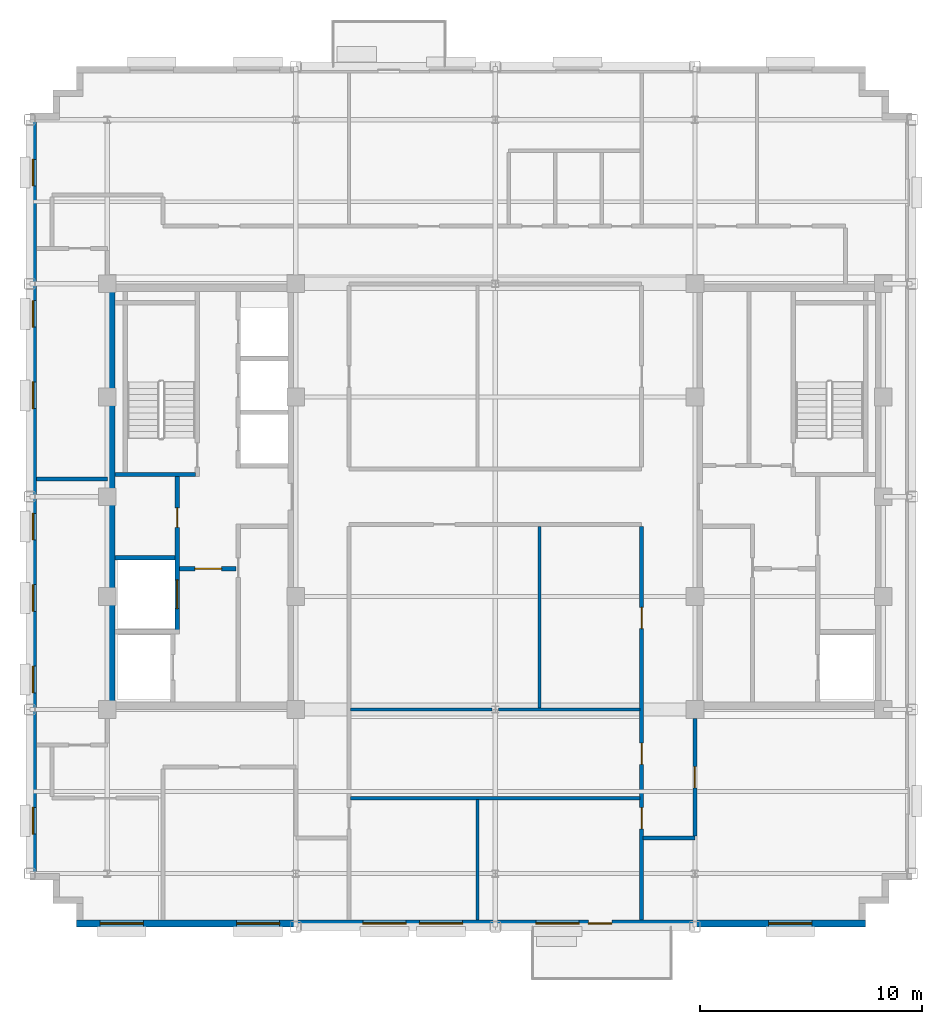
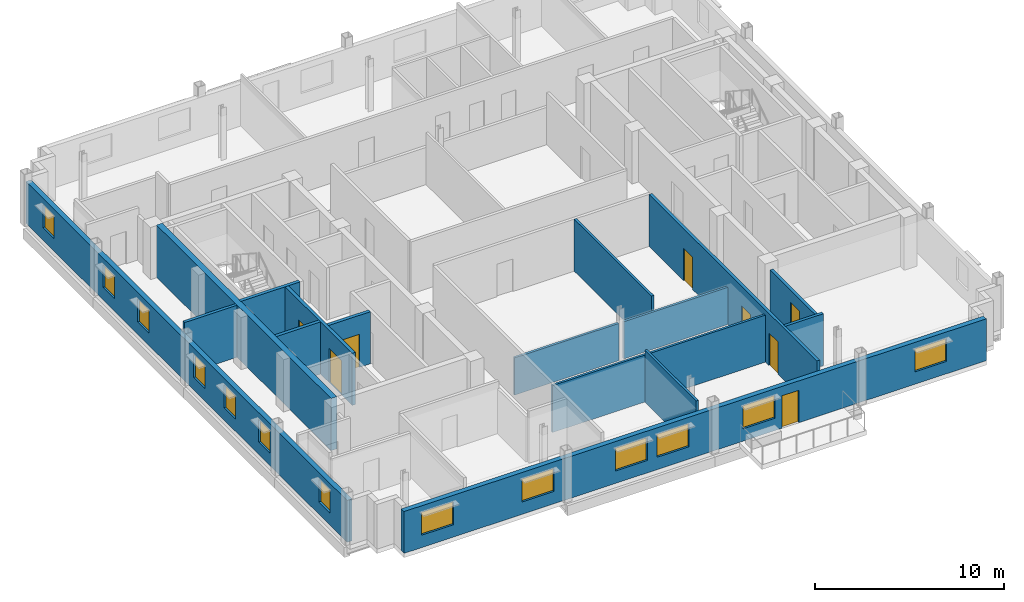
# One storey, part 6 of 13: 16 walls, 13 windows, 8 doors, 21 openings.
"""IFC4 building model written with IfcOpenShell, lengths in metres."""

from ifc_helpers import new_model, si_unit, direction, frame, frame_2d, origin, place, context, subcontext, project, spatial, rectangle, extrude, source, transform, mapped, material, layer, layer_set, type_object, type_shapes, element, fill, save


model = new_model("IFC4")

# Units and contexts
model_context = context("Model", 3, precision=1e-05, world=origin(), true_north=direction((0.0, 1.0)))
body_context = subcontext(model_context, "Body", "Model", "MODEL_VIEW")
ifc_project = project(units=[si_unit("LENGTHUNIT", "METRE"), si_unit("AREAUNIT", "SQUARE_METRE"), si_unit("VOLUMEUNIT", "CUBIC_METRE"), si_unit("PLANEANGLEUNIT", "RADIAN"), si_unit("MASSUNIT", "GRAM", prefix="KILO")], contexts=[model_context])

# Site, building, storey
site_placement = place(None, origin())
site = spatial("IfcSite", under=ifc_project, at=site_placement, CompositionType="ELEMENT")
building_placement = place(site_placement, origin())
building = spatial("IfcBuilding", under=site, at=building_placement, Name="Nuvemarco Arch Tower", CompositionType="ELEMENT")
storey_placement = place(building_placement, frame((0.0, 0.0, 279.85009765625)))
storey = spatial("IfcBuildingStorey", under=building, at=storey_placement, Name="L74", CompositionType="ELEMENT", Elevation=279.85009765625)

# Wall, openings, door, windows
ifc_material_1 = material(Name="Precast concrete C45/55", Category="concrete")
ifc_layer_1 = layer(ifc_material_1, 0.300048828125, Name="EW-HIGH-300")
ifc_layer_set_1 = layer_set([ifc_layer_1], Name="Precast concrete C45/55")
wall_type_1 = type_object("IfcWallType", Name="EW-HIGH-300", PredefinedType="STANDARD", material=ifc_layer_set_1)
wall_1_placement = place(storey_placement, frame((-18.89990234375, -19.25, 0.0), z_axis=(0.0, 0.0, 1.0), x_axis=(1.0, 0.0, 0.0)))
wall_1 = element("IfcWall", 1, at=wall_1_placement, inside=storey, type_object=wall_type_1, Name="L74 exterior precast facade wall 1", PredefinedType="STANDARD", context=body_context, shape_type="SweptSolid", body=[
    extrude(rectangle(XDim=35.599853515625, YDim=0.300048828125, at=frame_2d((17.7998046875, 0.0))), origin(), (0.0, 0.0, 1.0), 2.704833984375),
])
opening_1_placement = place(wall_1_placement, frame((24.150146484375, 0.0, 0.0), z_axis=(0.0, 0.0, 1.0), x_axis=(-1.0, 0.0, 0.0)))
opening_1 = element("IfcOpeningElement", 2, at=opening_1_placement, cuts=wall_1, Name="Opening ED-5", PredefinedType="OPENING", context=body_context, shape_type="SweptSolid", body=[
    extrude(rectangle(XDim=1.050048828125, YDim=2.10009765625, at=frame_2d((0.52490234375, 1.050048828125))), frame((0.0, 0.159912109375, 0.0), z_axis=(0.0, -1.0, 0.0), x_axis=(1.0, 0.0, 0.0)), (0.0, 0.0, 1.0), 0.320068359375),
])
opening_2_placement = place(wall_1_placement, frame((1.074951171875, 0.0, 0.800048828125)))
opening_2 = element("IfcOpeningElement", 3, at=opening_2_placement, cuts=wall_1, Name="Opening WN-7", PredefinedType="OPENING", context=body_context, shape_type="SweptSolid", body=[
    extrude(rectangle(XDim=1.949951171875, YDim=1.47998046875, at=frame_2d((0.97509765625, 0.739990234375))), frame((0.0, 0.159912109375, 0.0), z_axis=(0.0, -1.0, 0.0), x_axis=(1.0, 0.0, 0.0)), (0.0, 0.0, 1.0), 0.320068359375),
])
opening_3_placement = place(wall_1_placement, frame((7.22509765625, 0.0, 0.800048828125)))
opening_3 = element("IfcOpeningElement", 4, at=opening_3_placement, cuts=wall_1, Name="Opening WN-7", PredefinedType="OPENING", context=body_context, shape_type="SweptSolid", body=[
    extrude(rectangle(XDim=1.949951171875, YDim=1.47998046875, at=frame_2d((0.97509765625, 0.739990234375))), frame((0.0, 0.159912109375, 0.0), z_axis=(0.0, -1.0, 0.0), x_axis=(1.0, 0.0, 0.0)), (0.0, 0.0, 1.0), 0.320068359375),
])
opening_4_placement = place(wall_1_placement, frame((12.925048828125, 0.0, 0.800048828125)))
opening_4 = element("IfcOpeningElement", 5, at=opening_4_placement, cuts=wall_1, Name="Opening WN-7", PredefinedType="OPENING", context=body_context, shape_type="SweptSolid", body=[
    extrude(rectangle(XDim=1.949951171875, YDim=1.47998046875, at=frame_2d((0.97509765625, 0.739990234375))), frame((0.0, 0.159912109375, 0.0), z_axis=(0.0, -1.0, 0.0), x_axis=(1.0, 0.0, 0.0)), (0.0, 0.0, 1.0), 0.320068359375),
])
opening_5_placement = place(wall_1_placement, frame((15.47509765625, 0.0, 0.800048828125)))
opening_5 = element("IfcOpeningElement", 6, at=opening_5_placement, cuts=wall_1, Name="Opening WN-7", PredefinedType="OPENING", context=body_context, shape_type="SweptSolid", body=[
    extrude(rectangle(XDim=1.949951171875, YDim=1.47998046875, at=frame_2d((0.97509765625, 0.739990234375))), frame((0.0, 0.159912109375, 0.0), z_axis=(0.0, -1.0, 0.0), x_axis=(1.0, 0.0, 0.0)), (0.0, 0.0, 1.0), 0.320068359375),
])
opening_6_placement = place(wall_1_placement, frame((20.72509765625, 0.0, 0.800048828125)))
opening_6 = element("IfcOpeningElement", 7, at=opening_6_placement, cuts=wall_1, Name="Opening WN-7", PredefinedType="OPENING", context=body_context, shape_type="SweptSolid", body=[
    extrude(rectangle(XDim=1.949951171875, YDim=1.47998046875, at=frame_2d((0.97509765625, 0.739990234375))), frame((0.0, 0.159912109375, 0.0), z_axis=(0.0, -1.0, 0.0), x_axis=(1.0, 0.0, 0.0)), (0.0, 0.0, 1.0), 0.320068359375),
])
opening_7_placement = place(wall_1_placement, frame((31.22509765625, 0.0, 0.800048828125)))
opening_7 = element("IfcOpeningElement", 8, at=opening_7_placement, cuts=wall_1, Name="Opening WN-7", PredefinedType="OPENING", context=body_context, shape_type="SweptSolid", body=[
    extrude(rectangle(XDim=1.949951171875, YDim=1.47998046875, at=frame_2d((0.97509765625, 0.739990234375))), frame((0.0, 0.159912109375, 0.0), z_axis=(0.0, -1.0, 0.0), x_axis=(1.0, 0.0, 0.0)), (0.0, 0.0, 1.0), 0.320068359375),
])
ifc_material_2 = material(Name="Anodised bronze and laminated glass", Category="glass")
door_type_1 = type_object("IfcDoorType", Name="DR-EXT-TERR", OperationType="NOTDEFINED", PredefinedType="DOOR", material=ifc_material_2)
shared_shape_1 = source(origin(), body_context, "Body", "SweptSolid", [
    extrude(rectangle(XDim=1.050048828125, YDim=2.10009765625, at=frame_2d((0.52490234375, 1.050048828125))), frame((0.0, 0.02490234375, 0.0), z_axis=(0.0, -1.0, 0.0), x_axis=(1.0, 0.0, 0.0)), (0.0, 0.0, 1.0), 0.050048828125),
])
type_shapes(door_type_1, [shared_shape_1])
door_1_placement = place(opening_1_placement, origin())
door_1 = element("IfcDoor", 9, at=door_1_placement, inside=storey, type_object=door_type_1, Name="L74 spiral terrace access door", OperationType="SINGLE_SWING_RIGHT", OverallHeight=2.10009765625, OverallWidth=1.050048828125, PredefinedType="DOOR", context=body_context, shape_type="MappedRepresentation", body=[
    mapped(shared_shape_1, transform((0.0, 0.0, 0.0), scale=1.0)),
])
fill(opening_1, door_1)
ifc_material_3 = material(Name="Insulated solar-control glass", Category="glass")
window_type_1 = type_object("IfcWindowType", Name="WN-HIGH-1950x1480", PartitioningType="DOUBLE_PANEL_VERTICAL", PredefinedType="WINDOW", material=ifc_material_3)
shared_shape_2 = source(origin(), body_context, "Body", "SweptSolid", [
    extrude(rectangle(XDim=1.949951171875, YDim=1.47998046875, at=frame_2d((0.97509765625, 0.739990234375))), frame((0.0, 0.030029296875, 0.0), z_axis=(0.0, -1.0, 0.0), x_axis=(1.0, 0.0, 0.0)), (0.0, 0.0, 1.0), 0.06005859375),
])
type_shapes(window_type_1, [shared_shape_2])
window_1_placement = place(opening_2_placement, origin())
window_1 = element("IfcWindow", 10, at=window_1_placement, inside=storey, type_object=window_type_1, Name="L74 punched facade window 1", OverallHeight=1.47998046875, OverallWidth=1.949951171875, PartitioningType="SINGLE_PANEL", PredefinedType="WINDOW", context=body_context, shape_type="MappedRepresentation", body=[
    mapped(shared_shape_2, transform((0.0, 0.0, 0.0), scale=1.0)),
])
fill(opening_2, window_1)
window_2_placement = place(opening_3_placement, origin())
window_2 = element("IfcWindow", 11, at=window_2_placement, inside=storey, type_object=window_type_1, Name="L74 punched facade window 2", OverallHeight=1.47998046875, OverallWidth=1.949951171875, PartitioningType="SINGLE_PANEL", PredefinedType="WINDOW", context=body_context, shape_type="MappedRepresentation", body=[
    mapped(shared_shape_2, transform((0.0, 0.0, 0.0), scale=1.0)),
])
fill(opening_3, window_2)
window_3_placement = place(opening_4_placement, origin())
window_3 = element("IfcWindow", 12, at=window_3_placement, inside=storey, type_object=window_type_1, Name="L74 punched facade window 3", OverallHeight=1.47998046875, OverallWidth=1.949951171875, PartitioningType="SINGLE_PANEL", PredefinedType="WINDOW", context=body_context, shape_type="MappedRepresentation", body=[
    mapped(shared_shape_2, transform((0.0, 0.0, 0.0), scale=1.0)),
])
fill(opening_4, window_3)
window_4_placement = place(opening_5_placement, origin())
window_4 = element("IfcWindow", 13, at=window_4_placement, inside=storey, type_object=window_type_1, Name="L74 punched facade window 4", OverallHeight=1.47998046875, OverallWidth=1.949951171875, PartitioningType="SINGLE_PANEL", PredefinedType="WINDOW", context=body_context, shape_type="MappedRepresentation", body=[
    mapped(shared_shape_2, transform((0.0, 0.0, 0.0), scale=1.0)),
])
fill(opening_5, window_4)
window_5_placement = place(opening_6_placement, origin())
window_5 = element("IfcWindow", 14, at=window_5_placement, inside=storey, type_object=window_type_1, Name="L74 punched facade window 5", OverallHeight=1.47998046875, OverallWidth=1.949951171875, PartitioningType="SINGLE_PANEL", PredefinedType="WINDOW", context=body_context, shape_type="MappedRepresentation", body=[
    mapped(shared_shape_2, transform((0.0, 0.0, 0.0), scale=1.0)),
])
fill(opening_6, window_5)
window_6_placement = place(opening_7_placement, origin())
window_6 = element("IfcWindow", 15, at=window_6_placement, inside=storey, type_object=window_type_1, Name="L74 punched facade window 7", OverallHeight=1.47998046875, OverallWidth=1.949951171875, PartitioningType="SINGLE_PANEL", PredefinedType="WINDOW", context=body_context, shape_type="MappedRepresentation", body=[
    mapped(shared_shape_2, transform((0.0, 0.0, 0.0), scale=1.0)),
])
fill(opening_7, window_6)

# Wall, openings, windows
wall_2_placement = place(storey_placement, frame((-20.85009765625, -17.00390625, 0.0), z_axis=(0.0, 0.0, 1.0), x_axis=(0.0, 1.0, 0.0)))
wall_2 = element("IfcWall", 16, at=wall_2_placement, inside=storey, type_object=wall_type_1, Name="L74 exterior precast facade wall 16", PredefinedType="STANDARD", context=body_context, shape_type="SweptSolid", body=[
    extrude(rectangle(XDim=34.0078125, YDim=0.300048828125, at=frame_2d((17.00390625, 0.0))), origin(), (0.0, 0.0, 1.0), 2.704833984375),
])
opening_8_placement = place(wall_2_placement, frame((1.786376953125, 0.0, 0.800048828125)))
opening_8 = element("IfcOpeningElement", 17, at=opening_8_placement, cuts=wall_2, Name="Opening WN-8", PredefinedType="OPENING", context=body_context, shape_type="SweptSolid", body=[
    extrude(rectangle(XDim=1.199951171875, YDim=1.47998046875, at=frame_2d((0.60009765625, 0.739990234375))), frame((0.0, 0.159912109375, 0.0), z_axis=(0.0, -1.0, 0.0), x_axis=(1.0, 0.0, 0.0)), (0.0, 0.0, 1.0), 0.320068359375),
])
opening_9_placement = place(wall_2_placement, frame((8.158935546875, 0.0, 0.800048828125)))
opening_9 = element("IfcOpeningElement", 18, at=opening_9_placement, cuts=wall_2, Name="Opening WN-8", PredefinedType="OPENING", context=body_context, shape_type="SweptSolid", body=[
    extrude(rectangle(XDim=1.199951171875, YDim=1.47998046875, at=frame_2d((0.60009765625, 0.739990234375))), frame((0.0, 0.159912109375, 0.0), z_axis=(0.0, -1.0, 0.0), x_axis=(1.0, 0.0, 0.0)), (0.0, 0.0, 1.0), 0.320068359375),
])
opening_10_placement = place(wall_2_placement, frame((11.831298828125, 0.0, 0.800048828125)))
opening_10 = element("IfcOpeningElement", 19, at=opening_10_placement, cuts=wall_2, Name="Opening WN-8", PredefinedType="OPENING", context=body_context, shape_type="SweptSolid", body=[
    extrude(rectangle(XDim=1.199951171875, YDim=1.47998046875, at=frame_2d((0.60009765625, 0.739990234375))), frame((0.0, 0.159912109375, 0.0), z_axis=(0.0, -1.0, 0.0), x_axis=(1.0, 0.0, 0.0)), (0.0, 0.0, 1.0), 0.320068359375),
])
opening_11_placement = place(wall_2_placement, frame((15.053955078125, 0.0, 0.800048828125)))
opening_11 = element("IfcOpeningElement", 20, at=opening_11_placement, cuts=wall_2, Name="Opening WN-8", PredefinedType="OPENING", context=body_context, shape_type="SweptSolid", body=[
    extrude(rectangle(XDim=1.199951171875, YDim=1.47998046875, at=frame_2d((0.60009765625, 0.739990234375))), frame((0.0, 0.159912109375, 0.0), z_axis=(0.0, -1.0, 0.0), x_axis=(1.0, 0.0, 0.0)), (0.0, 0.0, 1.0), 0.320068359375),
])
opening_12_placement = place(wall_2_placement, frame((20.9765625, 0.0, 0.800048828125)))
opening_12 = element("IfcOpeningElement", 21, at=opening_12_placement, cuts=wall_2, Name="Opening WN-8", PredefinedType="OPENING", context=body_context, shape_type="SweptSolid", body=[
    extrude(rectangle(XDim=1.199951171875, YDim=1.47998046875, at=frame_2d((0.60009765625, 0.739990234375))), frame((0.0, 0.159912109375, 0.0), z_axis=(0.0, -1.0, 0.0), x_axis=(1.0, 0.0, 0.0)), (0.0, 0.0, 1.0), 0.320068359375),
])
opening_13_placement = place(wall_2_placement, frame((24.649169921875, 0.0, 0.800048828125)))
opening_13 = element("IfcOpeningElement", 22, at=opening_13_placement, cuts=wall_2, Name="Opening WN-8", PredefinedType="OPENING", context=body_context, shape_type="SweptSolid", body=[
    extrude(rectangle(XDim=1.199951171875, YDim=1.47998046875, at=frame_2d((0.60009765625, 0.739990234375))), frame((0.0, 0.159912109375, 0.0), z_axis=(0.0, -1.0, 0.0), x_axis=(1.0, 0.0, 0.0)), (0.0, 0.0, 1.0), 0.320068359375),
])
opening_14_placement = place(wall_2_placement, frame((31.021728515625, 0.0, 0.800048828125)))
opening_14 = element("IfcOpeningElement", 23, at=opening_14_placement, cuts=wall_2, Name="Opening WN-8", PredefinedType="OPENING", context=body_context, shape_type="SweptSolid", body=[
    extrude(rectangle(XDim=1.199951171875, YDim=1.47998046875, at=frame_2d((0.60009765625, 0.739990234375))), frame((0.0, 0.159912109375, 0.0), z_axis=(0.0, -1.0, 0.0), x_axis=(1.0, 0.0, 0.0)), (0.0, 0.0, 1.0), 0.320068359375),
])
window_type_2 = type_object("IfcWindowType", Name="WN-HIGH-1200x1480", PartitioningType="SINGLE_PANEL", PredefinedType="WINDOW", material=ifc_material_3)
shared_shape_3 = source(origin(), body_context, "Body", "SweptSolid", [
    extrude(rectangle(XDim=1.199951171875, YDim=1.47998046875, at=frame_2d((0.60009765625, 0.739990234375))), frame((0.0, 0.030029296875, 0.0), z_axis=(0.0, -1.0, 0.0), x_axis=(1.0, 0.0, 0.0)), (0.0, 0.0, 1.0), 0.06005859375),
])
type_shapes(window_type_2, [shared_shape_3])
window_7_placement = place(opening_8_placement, origin())
window_7 = element("IfcWindow", 24, at=window_7_placement, inside=storey, type_object=window_type_2, Name="L74 punched facade window 1", OverallHeight=1.47998046875, OverallWidth=1.199951171875, PartitioningType="SINGLE_PANEL", PredefinedType="WINDOW", context=body_context, shape_type="MappedRepresentation", body=[
    mapped(shared_shape_3, transform((0.0, 0.0, 0.0), scale=1.0)),
])
fill(opening_8, window_7)
window_8_placement = place(opening_9_placement, origin())
window_8 = element("IfcWindow", 25, at=window_8_placement, inside=storey, type_object=window_type_2, Name="L74 punched facade window 2", OverallHeight=1.47998046875, OverallWidth=1.199951171875, PartitioningType="SINGLE_PANEL", PredefinedType="WINDOW", context=body_context, shape_type="MappedRepresentation", body=[
    mapped(shared_shape_3, transform((0.0, 0.0, 0.0), scale=1.0)),
])
fill(opening_9, window_8)
window_9_placement = place(opening_10_placement, origin())
window_9 = element("IfcWindow", 26, at=window_9_placement, inside=storey, type_object=window_type_2, Name="L74 punched facade window 3", OverallHeight=1.47998046875, OverallWidth=1.199951171875, PartitioningType="SINGLE_PANEL", PredefinedType="WINDOW", context=body_context, shape_type="MappedRepresentation", body=[
    mapped(shared_shape_3, transform((0.0, 0.0, 0.0), scale=1.0)),
])
fill(opening_10, window_9)
window_10_placement = place(opening_11_placement, origin())
window_10 = element("IfcWindow", 27, at=window_10_placement, inside=storey, type_object=window_type_2, Name="L74 punched facade window 4", OverallHeight=1.47998046875, OverallWidth=1.199951171875, PartitioningType="SINGLE_PANEL", PredefinedType="WINDOW", context=body_context, shape_type="MappedRepresentation", body=[
    mapped(shared_shape_3, transform((0.0, 0.0, 0.0), scale=1.0)),
])
fill(opening_11, window_10)
window_11_placement = place(opening_12_placement, origin())
window_11 = element("IfcWindow", 28, at=window_11_placement, inside=storey, type_object=window_type_2, Name="L74 punched facade window 5", OverallHeight=1.47998046875, OverallWidth=1.199951171875, PartitioningType="SINGLE_PANEL", PredefinedType="WINDOW", context=body_context, shape_type="MappedRepresentation", body=[
    mapped(shared_shape_3, transform((0.0, 0.0, 0.0), scale=1.0)),
])
fill(opening_12, window_11)
window_12_placement = place(opening_13_placement, origin())
window_12 = element("IfcWindow", 29, at=window_12_placement, inside=storey, type_object=window_type_2, Name="L74 punched facade window 6", OverallHeight=1.47998046875, OverallWidth=1.199951171875, PartitioningType="SINGLE_PANEL", PredefinedType="WINDOW", context=body_context, shape_type="MappedRepresentation", body=[
    mapped(shared_shape_3, transform((0.0, 0.0, 0.0), scale=1.0)),
])
fill(opening_13, window_12)
window_13_placement = place(opening_14_placement, origin())
window_13 = element("IfcWindow", 30, at=window_13_placement, inside=storey, type_object=window_type_2, Name="L74 punched facade window 7", OverallHeight=1.47998046875, OverallWidth=1.199951171875, PartitioningType="SINGLE_PANEL", PredefinedType="WINDOW", context=body_context, shape_type="MappedRepresentation", body=[
    mapped(shared_shape_3, transform((0.0, 0.0, 0.0), scale=1.0)),
])
fill(opening_14, window_13)

# Walls
ifc_material_4 = material(Name="Concrete C50/60", Category="concrete")
ifc_layer_2 = layer(ifc_material_4, 0.35009765625, Name="WL-CORE-350")
ifc_layer_set_2 = layer_set([ifc_layer_2], Name="Concrete C50/60")
wall_type_2 = type_object("IfcWallType", Name="WL-CORE-350", PredefinedType="SHEAR", material=ifc_layer_set_2)
wall_3_placement = place(storey_placement, frame((-17.324951171875, -9.2548828125, 0.0), z_axis=(0.0, 0.0, 1.0), x_axis=(0.0, 1.0, 0.0)))
element("IfcWall", 31, at=wall_3_placement, inside=storey, type_object=wall_type_2, Name="L74 W-core shear wall W", PredefinedType="SHEAR", context=body_context, shape_type="SweptSolid", body=[
    extrude(rectangle(XDim=18.509765625, YDim=0.35009765625, at=frame_2d((9.2548828125, 0.0))), origin(), (0.0, 0.0, 1.0), 3.369873046875),
])
ifc_material_5 = material(Name="Fire-rated gypsum drywall partition")
ifc_layer_3 = layer(ifc_material_5, 0.179931640625, Name="WL-CORR-180")
ifc_layer_set_3 = layer_set([ifc_layer_3], Name="Fire-rated gypsum drywall partition")
wall_type_3 = type_object("IfcWallType", Name="WL-CORR-180", PredefinedType="PARTITIONING", material=ifc_layer_set_3)
wall_4_placement = place(storey_placement, frame((6.666015625, -15.39990234375, 0.0), z_axis=(0.0, 0.0, 1.0), x_axis=(1.0, 0.0, 0.0)))
element("IfcWall", 32, at=wall_4_placement, inside=storey, type_object=wall_type_3, Name="L74 interior wall IW-L74-002", PredefinedType="PARTITIONING", context=body_context, shape_type="SweptSolid", body=[
    extrude(rectangle(XDim=2.333984375, YDim=0.179931640625, at=frame_2d((1.1669921875, 0.0))), origin(), (0.0, 0.0, 1.0), 3.35986328125),
])
wall_5_placement = place(storey_placement, frame((-20.699951171875, 0.800048828125, 0.0), z_axis=(0.0, 0.0, 1.0), x_axis=(1.0, 0.0, 0.0)))
element("IfcWall", 33, at=wall_5_placement, inside=storey, type_object=wall_type_3, Name="L74 interior wall IW-L74-010", PredefinedType="PARTITIONING", context=body_context, shape_type="SweptSolid", body=[
    extrude(rectangle(XDim=3.199951171875, YDim=0.179931640625, at=frame_2d((1.60009765625, 0.0))), origin(), (0.0, 0.0, 1.0), 3.35986328125),
])

# Wall, openings, doors
wall_6_placement = place(storey_placement, frame((6.60009765625, -19.10009765625, 0.0), z_axis=(0.0, 0.0, 1.0), x_axis=(0.0, 1.0, 0.0)))
wall_6 = element("IfcWall", 34, at=wall_6_placement, inside=storey, type_object=wall_type_3, Name="L74 interior wall IW-L74-034", PredefinedType="PARTITIONING", context=body_context, shape_type="SweptSolid", body=[
    extrude(rectangle(XDim=17.76416015625, YDim=0.179931640625, at=frame_2d((8.882080078125, 0.0))), origin(), (0.0, 0.0, 1.0), 3.35986328125),
])
opening_15_placement = place(wall_6_placement, frame((13.152099609375, 0.0, 0.0)))
opening_15 = element("IfcOpeningElement", 35, at=opening_15_placement, cuts=wall_6, Name="Opening FD-5", PredefinedType="OPENING", context=body_context, shape_type="SweptSolid", body=[
    extrude(rectangle(XDim=0.9599609375, YDim=2.10009765625, at=frame_2d((0.47998046875, 1.050048828125))), frame((0.0, 0.099853515625, 0.0), z_axis=(0.0, -1.0, 0.0), x_axis=(1.0, 0.0, 0.0)), (0.0, 0.0, 1.0), 0.199951171875),
])
opening_16_placement = place(wall_6_placement, frame((7.02001953125, 0.0, 0.0)))
opening_16 = element("IfcOpeningElement", 36, at=opening_16_placement, cuts=wall_6, Name="Opening FD-5", PredefinedType="OPENING", context=body_context, shape_type="SweptSolid", body=[
    extrude(rectangle(XDim=0.9599609375, YDim=2.10009765625, at=frame_2d((0.47998046875, 1.050048828125))), frame((0.0, 0.099853515625, 0.0), z_axis=(0.0, -1.0, 0.0), x_axis=(1.0, 0.0, 0.0)), (0.0, 0.0, 1.0), 0.199951171875),
])
opening_17_placement = place(wall_6_placement, frame((4.1201171875, 0.0, 0.0)))
opening_17 = element("IfcOpeningElement", 37, at=opening_17_placement, cuts=wall_6, Name="Opening FD-5", PredefinedType="OPENING", context=body_context, shape_type="SweptSolid", body=[
    extrude(rectangle(XDim=0.9599609375, YDim=2.10009765625, at=frame_2d((0.47998046875, 1.050048828125))), frame((0.0, 0.099853515625, 0.0), z_axis=(0.0, -1.0, 0.0), x_axis=(1.0, 0.0, 0.0)), (0.0, 0.0, 1.0), 0.199951171875),
])
ifc_material_6 = material(Name="Timber fire door", Category="wood")
door_type_2 = type_object("IfcDoorType", Name="DR-CORR-FD", OperationType="NOTDEFINED", PredefinedType="DOOR", material=ifc_material_6)
shared_shape_4 = source(origin(), body_context, "Body", "SweptSolid", [
    extrude(rectangle(XDim=0.9599609375, YDim=2.10009765625, at=frame_2d((0.47998046875, 1.050048828125))), frame((0.0, 0.02490234375, 0.0), z_axis=(0.0, -1.0, 0.0), x_axis=(1.0, 0.0, 0.0)), (0.0, 0.0, 1.0), 0.050048828125),
])
type_shapes(door_type_2, [shared_shape_4])
door_2_placement = place(opening_15_placement, origin())
door_2 = element("IfcDoor", 38, at=door_2_placement, inside=storey, type_object=door_type_2, Name="L74 door DR-L74-C_S2", OperationType="SINGLE_SWING_LEFT", OverallHeight=2.10009765625, OverallWidth=0.9599609375, PredefinedType="DOOR", context=body_context, shape_type="MappedRepresentation", body=[
    mapped(shared_shape_4, transform((0.0, 0.0, 0.0), scale=1.0)),
])
fill(opening_15, door_2)
door_3_placement = place(opening_16_placement, origin())
door_3 = element("IfcDoor", 39, at=door_3_placement, inside=storey, type_object=door_type_2, Name="L74 door DR-L74-S_3", OperationType="SINGLE_SWING_RIGHT", OverallHeight=2.10009765625, OverallWidth=0.9599609375, PredefinedType="DOOR", context=body_context, shape_type="MappedRepresentation", body=[
    mapped(shared_shape_4, transform((0.0, 0.0, 0.0), scale=1.0)),
])
fill(opening_16, door_3)
door_4_placement = place(opening_17_placement, origin())
door_4 = element("IfcDoor", 40, at=door_4_placement, inside=storey, type_object=door_type_2, Name="L74 door DR-L74-S_5", OperationType="SINGLE_SWING_LEFT", OverallHeight=2.10009765625, OverallWidth=0.9599609375, PredefinedType="DOOR", context=body_context, shape_type="MappedRepresentation", body=[
    mapped(shared_shape_4, transform((0.0, 0.0, 0.0), scale=1.0)),
])
fill(opening_17, door_4)

# Wall, opening, door
wall_7_placement = place(storey_placement, frame((9.0, -15.31396484375, 0.0), z_axis=(0.0, 0.0, 1.0), x_axis=(0.0, 1.0, 0.0)))
wall_7 = element("IfcWall", 41, at=wall_7_placement, inside=storey, type_object=wall_type_3, Name="L74 interior wall IW-L74-037", PredefinedType="PARTITIONING", context=body_context, shape_type="SweptSolid", body=[
    extrude(rectangle(XDim=5.31787109375, YDim=0.179931640625, at=frame_2d((2.658935546875, 0.0))), origin(), (0.0, 0.0, 1.0), 2.891845703125),
])
opening_18_placement = place(wall_7_placement, frame((2.178955078125, 0.0, 0.0)))
opening_18 = element("IfcOpeningElement", 42, at=opening_18_placement, cuts=wall_7, Name="Opening FD-5", PredefinedType="OPENING", context=body_context, shape_type="SweptSolid", body=[
    extrude(rectangle(XDim=0.9599609375, YDim=2.10009765625, at=frame_2d((0.47998046875, 1.050048828125))), frame((0.0, 0.099853515625, 0.0), z_axis=(0.0, -1.0, 0.0), x_axis=(1.0, 0.0, 0.0)), (0.0, 0.0, 1.0), 0.199951171875),
])
door_5_placement = place(opening_18_placement, origin())
door_5 = element("IfcDoor", 43, at=door_5_placement, inside=storey, type_object=door_type_2, Name="L74 door DR-L74-S_6", OperationType="SINGLE_SWING_LEFT", OverallHeight=2.10009765625, OverallWidth=0.9599609375, PredefinedType="DOOR", context=body_context, shape_type="MappedRepresentation", body=[
    mapped(shared_shape_4, transform((0.0, 0.0, 0.0), scale=1.0)),
])
fill(opening_18, door_5)

# Walls
ifc_material_7 = material(Name="Gypsum plasterboard partition")
ifc_layer_4 = layer(ifc_material_7, 0.139892578125, Name="WL-ROOM-140")
ifc_layer_set_4 = layer_set([ifc_layer_4], Name="Gypsum plasterboard partition")
wall_type_4 = type_object("IfcWallType", Name="WL-ROOM-140", PredefinedType="PARTITIONING", material=ifc_layer_set_4)
wall_8_placement = place(storey_placement, frame((-6.52392578125, -13.60009765625, 0.0), z_axis=(0.0, 0.0, 1.0), x_axis=(1.0, 0.0, 0.0)))
element("IfcWall", 44, at=wall_8_placement, inside=storey, type_object=wall_type_4, Name="L74 interior wall IW-L74-004", PredefinedType="PARTITIONING", context=body_context, shape_type="SweptSolid", body=[
    extrude(rectangle(XDim=13.057861328125, YDim=0.139892578125, at=frame_2d((6.52880859375, 0.0))), origin(), (0.0, 0.0, 1.0), 3.037841796875),
])
wall_9_placement = place(storey_placement, frame((-6.52392578125, -9.60009765625, 0.0), z_axis=(0.0, 0.0, 1.0), x_axis=(1.0, 0.0, 0.0)))
element("IfcWall", 45, at=wall_9_placement, inside=storey, type_object=wall_type_4, Name="L74 interior wall IW-L74-007", PredefinedType="PARTITIONING", context=body_context, shape_type="SweptSolid", body=[
    extrude(rectangle(XDim=6.373046875, YDim=0.139892578125, at=frame_2d((3.1865234375, 0.0))), origin(), (0.0, 0.0, 1.0), 2.40478515625),
])
wall_10_placement = place(storey_placement, frame((0.15087890625, -9.60009765625, 0.0), z_axis=(0.0, 0.0, 1.0), x_axis=(1.0, 0.0, 0.0)))
element("IfcWall", 46, at=wall_10_placement, inside=storey, type_object=wall_type_4, Name="L74 interior wall IW-L74-008", PredefinedType="PARTITIONING", context=body_context, shape_type="SweptSolid", body=[
    extrude(rectangle(XDim=6.383056640625, YDim=0.139892578125, at=frame_2d((3.19140625, 0.0))), origin(), (0.0, 0.0, 1.0), 2.40478515625),
])
wall_11_placement = place(storey_placement, frame((-0.800048828125, -19.10009765625, 0.0), z_axis=(0.0, 0.0, 1.0), x_axis=(0.0, 1.0, 0.0)))
element("IfcWall", 47, at=wall_11_placement, inside=storey, type_object=wall_type_4, Name="L74 interior wall IW-L74-028", PredefinedType="PARTITIONING", context=body_context, shape_type="SweptSolid", body=[
    extrude(rectangle(XDim=5.43408203125, YDim=0.139892578125, at=frame_2d((2.717041015625, 0.0))), origin(), (0.0, 0.0, 1.0), 3.35986328125),
])
wall_12_placement = place(storey_placement, frame((2.0, -9.533935546875, 0.0), z_axis=(0.0, 0.0, 1.0), x_axis=(0.0, 1.0, 0.0)))
element("IfcWall", 48, at=wall_12_placement, inside=storey, type_object=wall_type_4, Name="L74 interior wall IW-L74-031", PredefinedType="PARTITIONING", context=body_context, shape_type="SweptSolid", body=[
    extrude(rectangle(XDim=8.197998046875, YDim=0.139892578125, at=frame_2d((4.09912109375, 0.0))), origin(), (0.0, 0.0, 1.0), 3.35986328125),
])
ifc_layer_5 = layer(ifc_material_4, 0.199951171875, Name="WL-SHAFT-220")
ifc_layer_set_5 = layer_set([ifc_layer_5], Name="Concrete C50/60")
wall_type_5 = type_object("IfcWallType", Name="WL-SHAFT-220", PredefinedType="SHEAR", material=ifc_layer_set_5)
wall_13_placement = place(storey_placement, frame((-17.155029296875, 1.0, 0.0), z_axis=(0.0, 0.0, 1.0), x_axis=(1.0, 0.0, 0.0)))
element("IfcWall", 49, at=wall_13_placement, inside=storey, type_object=wall_type_5, Name="L74 structural shaft wall SW-L74-W-ST1S", PredefinedType="SHEAR", context=body_context, shape_type="SweptSolid", body=[
    extrude(rectangle(XDim=3.6201171875, YDim=0.199951171875, at=frame_2d((1.81005859375, 0.0))), origin(), (0.0, 0.0, 1.0), 3.369873046875),
])

# Wall, openings, doors
wall_14_placement = place(storey_placement, frame((-14.35009765625, -6.199951171875, 0.0), z_axis=(0.0, 0.0, 1.0), x_axis=(0.0, 1.0, 0.0)))
wall_14 = element("IfcWall", 50, at=wall_14_placement, inside=storey, type_object=wall_type_5, Name="L74 structural shaft wall SW-L74-W-SVE", PredefinedType="SHEAR", context=body_context, shape_type="SweptSolid", body=[
    extrude(rectangle(XDim=7.10498046875, YDim=0.199951171875, at=frame_2d((3.552490234375, 0.0))), origin(), (0.0, 0.0, 1.0), 3.369873046875),
])
opening_19_placement = place(wall_14_placement, frame((5.68994140625, 0.0, 0.0), z_axis=(0.0, 0.0, 1.0), x_axis=(-1.0, 0.0, 0.0)))
opening_19 = element("IfcOpeningElement", 51, at=opening_19_placement, cuts=wall_14, Name="Opening FD-4", PredefinedType="OPENING", context=body_context, shape_type="SweptSolid", body=[
    extrude(rectangle(XDim=0.8798828125, YDim=2.10009765625, at=frame_2d((0.43994140625, 1.050048828125))), frame((0.0, 0.10986328125, 0.0), z_axis=(0.0, -1.0, 0.0), x_axis=(1.0, 0.0, 0.0)), (0.0, 0.0, 1.0), 0.219970703125),
])
opening_20_placement = place(wall_14_placement, frame((1.14990234375, 0.0, 0.0)))
opening_20 = element("IfcOpeningElement", 52, at=opening_20_placement, cuts=wall_14, Name="Opening LD-3", PredefinedType="OPENING", context=body_context, shape_type="SweptSolid", body=[
    extrude(rectangle(XDim=1.300048828125, YDim=2.199951171875, at=frame_2d((0.64990234375, 1.10009765625))), frame((0.0, 0.10986328125, 0.0), z_axis=(0.0, -1.0, 0.0), x_axis=(1.0, 0.0, 0.0)), (0.0, 0.0, 1.0), 0.219970703125),
])
ifc_material_8 = material(Name="Anodised steel fire door", Category="steel")
door_type_3 = type_object("IfcDoorType", Name="DR-RISER-FD", OperationType="NOTDEFINED", PredefinedType="DOOR", material=ifc_material_8)
shared_shape_5 = source(origin(), body_context, "Body", "SweptSolid", [
    extrude(rectangle(XDim=0.8798828125, YDim=2.10009765625, at=frame_2d((0.43994140625, 1.050048828125))), frame((0.0, 0.02490234375, 0.0), z_axis=(0.0, -1.0, 0.0), x_axis=(1.0, 0.0, 0.0)), (0.0, 0.0, 1.0), 0.050048828125),
])
type_shapes(door_type_3, [shared_shape_5])
door_6_placement = place(opening_19_placement, origin())
door_6 = element("IfcDoor", 53, at=door_6_placement, inside=storey, type_object=door_type_3, Name="L74 door FD-L74-WRIS", OperationType="SINGLE_SWING_RIGHT", OverallHeight=2.10009765625, OverallWidth=0.8798828125, PredefinedType="DOOR", context=body_context, shape_type="MappedRepresentation", body=[
    mapped(shared_shape_5, transform((0.0, 0.0, 0.0), scale=1.0)),
])
fill(opening_19, door_6)
ifc_material_9 = material(Name="Stainless steel lift door", Category="steel")
door_type_4 = type_object("IfcDoorType", Name="DR-LIFT-SERV", OperationType="DOUBLE_DOOR_SLIDING", PredefinedType="DOOR", material=ifc_material_9)
shared_shape_6 = source(origin(), body_context, "Body", "SweptSolid", [
    extrude(rectangle(XDim=1.300048828125, YDim=2.199951171875, at=frame_2d((0.64990234375, 1.10009765625))), frame((0.0, 0.02490234375, 0.0), z_axis=(0.0, -1.0, 0.0), x_axis=(1.0, 0.0, 0.0)), (0.0, 0.0, 1.0), 0.050048828125),
])
type_shapes(door_type_4, [shared_shape_6])
door_7_placement = place(opening_20_placement, origin())
door_7 = element("IfcDoor", 54, at=door_7_placement, inside=storey, type_object=door_type_4, Name="L74 Lift landing sliding door SVL-1", OperationType="DOUBLE_DOOR_SLIDING", OverallHeight=2.199951171875, OverallWidth=1.300048828125, PredefinedType="DOOR", context=body_context, shape_type="MappedRepresentation", body=[
    mapped(shared_shape_6, transform((0.0, 0.0, 0.0), scale=1.0)),
])
fill(opening_20, door_7)

# Wall
wall_15_placement = place(storey_placement, frame((-17.155029296875, -2.75, 0.0), z_axis=(0.0, 0.0, 1.0), x_axis=(1.0, 0.0, 0.0)))
element("IfcWall", 55, at=wall_15_placement, inside=storey, type_object=wall_type_5, Name="L74 structural shaft wall SW-L74-W-SH2", PredefinedType="SHEAR", context=body_context, shape_type="SweptSolid", body=[
    extrude(rectangle(XDim=2.7099609375, YDim=0.199951171875, at=frame_2d((1.35498046875, 0.0))), origin(), (0.0, 0.0, 1.0), 3.369873046875),
])

# Wall, opening, door
wall_16_placement = place(storey_placement, frame((-14.2548828125, -3.25, 0.0), z_axis=(0.0, 0.0, 1.0), x_axis=(1.0, 0.0, 0.0)))
wall_16 = element("IfcWall", 56, at=wall_16_placement, inside=storey, type_object=wall_type_5, Name="L74 structural shaft wall SW-L74-W-FFN", PredefinedType="SHEAR", context=body_context, shape_type="SweptSolid", body=[
    extrude(rectangle(XDim=2.559814453125, YDim=0.199951171875, at=frame_2d((1.27978515625, 0.0))), origin(), (0.0, 0.0, 1.0), 3.369873046875),
])
opening_21_placement = place(wall_16_placement, frame((0.705078125, 0.0, 0.0)))
opening_21 = element("IfcOpeningElement", 57, at=opening_21_placement, cuts=wall_16, Name="Opening FD-2", PredefinedType="OPENING", context=body_context, shape_type="SweptSolid", body=[
    extrude(rectangle(XDim=1.199951171875, YDim=2.14990234375, at=frame_2d((0.60009765625, 1.074951171875))), frame((0.0, 0.10986328125, 0.0), z_axis=(0.0, -1.0, 0.0), x_axis=(1.0, 0.0, 0.0)), (0.0, 0.0, 1.0), 0.219970703125),
])
door_type_5 = type_object("IfcDoorType", Name="DR-FFLOB-FD", OperationType="NOTDEFINED", PredefinedType="DOOR", material=ifc_material_8)
shared_shape_7 = source(origin(), body_context, "Body", "SweptSolid", [
    extrude(rectangle(XDim=1.199951171875, YDim=2.14990234375, at=frame_2d((0.60009765625, 1.074951171875))), frame((0.0, 0.02490234375, 0.0), z_axis=(0.0, -1.0, 0.0), x_axis=(1.0, 0.0, 0.0)), (0.0, 0.0, 1.0), 0.050048828125),
])
type_shapes(door_type_5, [shared_shape_7])
door_8_placement = place(opening_21_placement, origin())
door_8 = element("IfcDoor", 58, at=door_8_placement, inside=storey, type_object=door_type_5, Name="L74 door FD-L74-WFF1", OperationType="SINGLE_SWING_RIGHT", OverallHeight=2.14990234375, OverallWidth=1.199951171875, PredefinedType="DOOR", context=body_context, shape_type="MappedRepresentation", body=[
    mapped(shared_shape_7, transform((0.0, 0.0, 0.0), scale=1.0)),
])
fill(opening_21, door_8)

save(model, "model.ifc")
